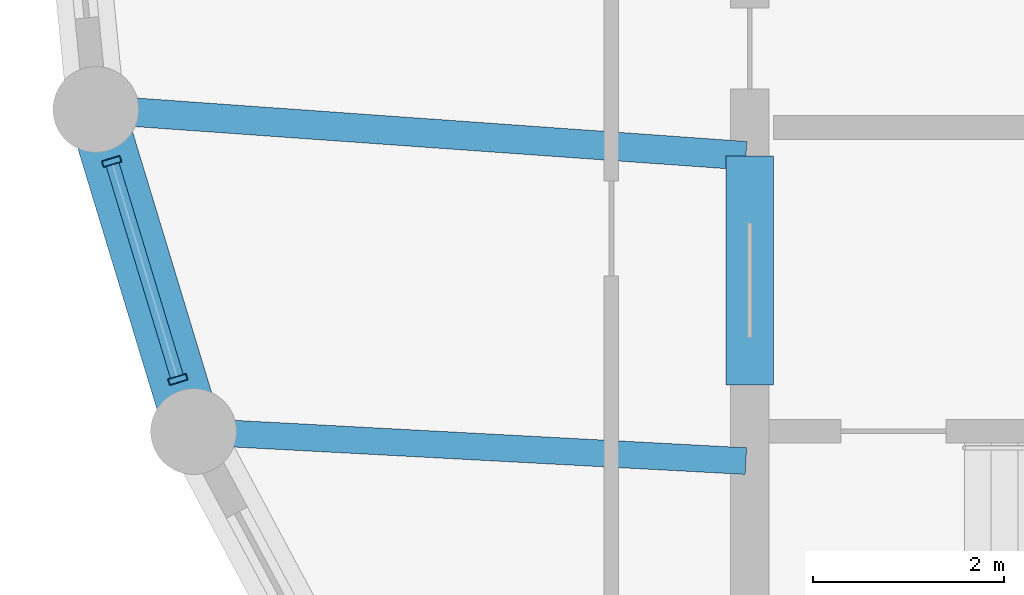
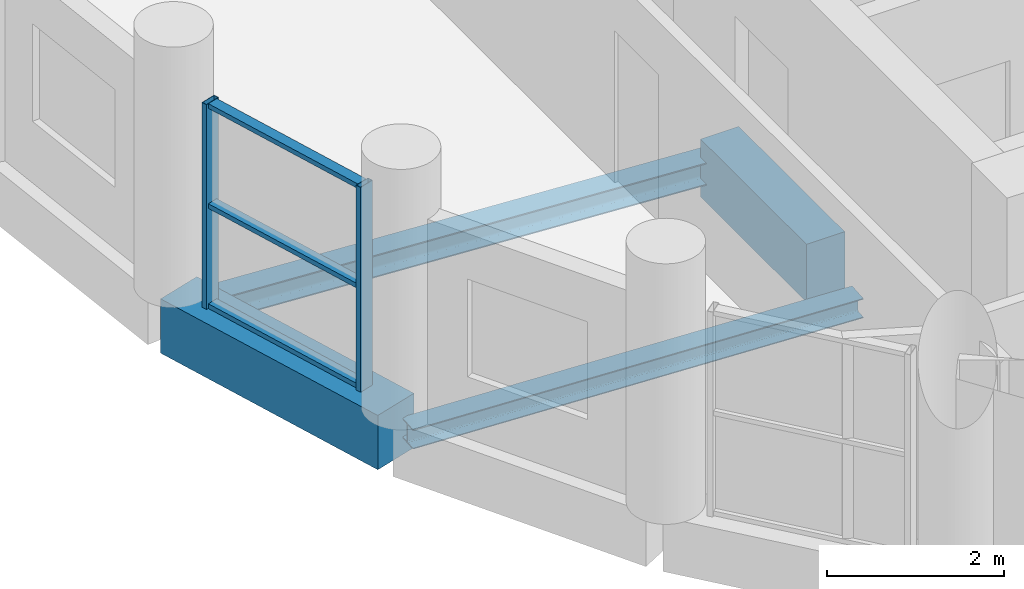
# One storey, part 3 of 17: 5 members, 4 beams, 1 element without a shape of its own.
"""IFC4 building model written with IfcOpenShell, lengths in metres."""

from ifc_helpers import new_model, si_unit, direction, frame, origin, origin_2d, place, context, subcontext, project, spatial, rectangle, hollow_rectangle, i_section, extrude, material, layer, layer_set, material_profile, profile_set, type_object, element, aggregate, save


model = new_model("IFC4")

# Units and contexts
model_context = context("Model", 3, precision=1e-05, world=origin(), true_north=direction((0.0, 1.0)))
body_context = subcontext(model_context, "Body", "Model", "MODEL_VIEW")
ifc_project = project(units=[si_unit("LENGTHUNIT", "METRE"), si_unit("AREAUNIT", "SQUARE_METRE"), si_unit("VOLUMEUNIT", "CUBIC_METRE"), si_unit("PLANEANGLEUNIT", "RADIAN"), si_unit("MASSUNIT", "GRAM", prefix="KILO")], contexts=[model_context])

# Site, building, storey
site_placement = place(None, origin())
site = spatial("IfcSite", under=ifc_project, at=site_placement, CompositionType="ELEMENT")
building_placement = place(site_placement, origin())
building = spatial("IfcBuilding", under=site, at=building_placement, Name="Solnavia Interchange Tower", CompositionType="ELEMENT")
storey_placement = place(building_placement, frame((0.0, 0.0, 291.800048828125)))
storey = spatial("IfcBuildingStorey", under=building, at=storey_placement, Name="L74", CompositionType="ELEMENT", Elevation=291.800048828125)

# Beams
ifc_material_1 = material(Name="Concrete C50/60", Category="concrete")
ifc_material_profile_1 = material_profile(ifc_material_1, rectangle(XDim=0.5, YDim=0.800048828125, at=origin_2d()), Name="RC 500x800")
ifc_profile_set_1 = profile_set([ifc_material_profile_1], Name="Concrete C50/60")
beam_type_1 = type_object("IfcBeamType", Name="Beam-Coupling-RC500x800", PredefinedType="LINTEL", material=ifc_profile_set_1)
beam_1_placement = place(storey_placement, frame((14.39990234375, 15.199951171875, -0.400146484375), z_axis=(0.0, 1.0, 0.0), x_axis=(-1.0, 0.0, 0.0)))
element("IfcBeam", 1, at=beam_1_placement, inside=storey, type_object=beam_type_1, Name="CPB-L74-W1 Core coupling lintel beam", PredefinedType="LINTEL", context=body_context, shape_type="SweptSolid", body=[
    extrude(rectangle(XDim=0.5, YDim=0.800048828125, at=origin_2d()), origin(), (0.0, 0.0, 1.0), 2.400146484375),
])
ifc_material_2 = material(Name="Steel S355", Category="steel")
ifc_material_profile_2 = material_profile(ifc_material_2, i_section(OverallWidth=0.280029296875, OverallDepth=0.27001953125, WebThickness=0.008056640625, FlangeThickness=0.012939453125, FilletRadius=0.02392578125, at=origin_2d()), Name="HEA 280")
ifc_profile_set_2 = profile_set([ifc_material_profile_2], Name="Steel S355")
beam_type_2 = type_object("IfcBeamType", Name="Beam-Primary-HEA280", PredefinedType="BEAM", material=ifc_profile_set_2)
beam_2_placement = place(storey_placement, frame((8.64990234375, 14.707763671875, -0.385009765625), z_axis=(0.998570371303, -0.053452909696, 0.0), x_axis=(0.053452909696, 0.998570371303, 0.0)))
element("IfcBeam", 2, at=beam_2_placement, inside=storey, type_object=beam_type_2, Name="GRD-L74-DR06 Drum radial floor girder", PredefinedType="BEAM", context=body_context, shape_type="SweptSolid", body=[
    extrude(i_section(OverallWidth=0.280029296875, OverallDepth=0.27001953125, WebThickness=0.008056640625, FlangeThickness=0.012939453125, FilletRadius=0.02392578125, at=origin_2d()), origin(), (0.0, 0.0, 1.0), 5.71826171875),
])
ifc_material_profile_3 = material_profile(ifc_material_2, i_section(OverallWidth=0.300048828125, OverallDepth=0.31005859375, WebThickness=0.009033203125, FlangeThickness=0.015380859375, FilletRadius=0.027099609375, at=origin_2d()), Name="HEA 320")
ifc_profile_set_3 = profile_set([ifc_material_profile_3], Name="Steel S355")
beam_type_3 = type_object("IfcBeamType", Name="Beam-Primary-HEA320", PredefinedType="BEAM", material=ifc_profile_set_3)
beam_3_placement = place(storey_placement, frame((7.625732421875, 18.082275390625, -0.405029296875), z_axis=(0.99747482749, -0.071020902015, 0.0), x_axis=(0.071020902015, 0.99747482749, 0.0)))
element("IfcBeam", 3, at=beam_3_placement, inside=storey, type_object=beam_type_3, Name="GRD-L74-DR05 Drum radial floor girder", PredefinedType="BEAM", context=body_context, shape_type="SweptSolid", body=[
    extrude(i_section(OverallWidth=0.300048828125, OverallDepth=0.31005859375, WebThickness=0.009033203125, FlangeThickness=0.015380859375, FilletRadius=0.027099609375, at=origin_2d()), origin(), (0.0, 0.0, 1.0), 6.75146484375),
])
ifc_material_profile_4 = material_profile(ifc_material_1, rectangle(XDim=0.60009765625, YDim=0.75, at=origin_2d()), Name="RC 600x750")
ifc_profile_set_4 = profile_set([ifc_material_profile_4], Name="Concrete C50/60")
beam_type_4 = type_object("IfcBeamType", Name="Beam-Spandrel-RC600x750", PredefinedType="SPANDREL", material=ifc_profile_set_4)
beam_4_placement = place(storey_placement, frame((7.569091796875, 18.011474609375, -0.375), z_axis=(0.290319223646, -0.956929855518, 0.0), x_axis=(0.956929855518, 0.290319223646, 0.0)))
element("IfcBeam", 4, at=beam_4_placement, inside=storey, type_object=beam_type_4, Name="SPB-L74-02 Framed-tube perimeter spandrel beam", PredefinedType="SPANDREL", context=body_context, shape_type="SweptSolid", body=[
    extrude(rectangle(XDim=0.60009765625, YDim=0.75, at=origin_2d()), origin(), (0.0, 0.0, 1.0), 3.367919921875),
])

# Curtain wall, members
ifc_material_3 = material(Name="Aluminium Alloy 6063-T6", Category="aluminium")
ifc_layer = layer(ifc_material_3, 0.219970703125)
ifc_layer_set = layer_set([ifc_layer], Name="Aluminium Alloy 6063-T6")
curtain_wall_type = type_object("IfcCurtainWallType", Name="CurtainWall-Tower-CTW3", PredefinedType="NOTDEFINED", material=ifc_layer_set)
curtain_wall_placement = place(storey_placement, origin())
curtain_wall = element("IfcCurtainWall", 5, at=curtain_wall_placement, inside=storey, type_object=curtain_wall_type, Name="CTW-L74-S38 CTW-3 curtain wall", PredefinedType="NOTDEFINED")
ifc_material_profile_5 = material_profile(ifc_material_3, hollow_rectangle(XDim=0.070068359375, YDim=0.199951171875, WallThickness=0.0048828125, at=origin_2d()), Name="ALU 200x70x5")
ifc_profile_set_5 = profile_set([ifc_material_profile_5], Name="Aluminium Alloy 6063-T6")
member_type_1 = type_object("IfcMemberType", Name="CW-Mullion-CWM-3", PredefinedType="MULLION", material=ifc_profile_set_5)
member_1_placement = place(storey_placement, frame((7.71142578125, 17.54248046875, 0.0), z_axis=(0.0, 0.0, 1.0), x_axis=(0.290258074897, -0.956948405065, 0.0)))
member_1 = element("IfcMember", 6, at=member_1_placement, type_object=member_type_1, Name="CTW-3 mullion 1", PredefinedType="MULLION", context=body_context, shape_type="SweptSolid", body=[
    extrude(hollow_rectangle(XDim=0.070068359375, YDim=0.199951171875, WallThickness=0.0048828125, at=origin_2d()), origin(), (0.0, 0.0, 1.0), 2.829833984375),
])
member_2_placement = place(storey_placement, frame((8.404541015625, 15.257568359375, 0.0), z_axis=(0.0, 0.0, 1.0), x_axis=(0.290258074897, -0.956948405065, 0.0)))
member_2 = element("IfcMember", 7, at=member_2_placement, type_object=member_type_1, Name="CTW-3 mullion 2", PredefinedType="MULLION", context=body_context, shape_type="SweptSolid", body=[
    extrude(hollow_rectangle(XDim=0.070068359375, YDim=0.199951171875, WallThickness=0.0048828125, at=origin_2d()), origin(), (0.0, 0.0, 1.0), 2.829833984375),
])
ifc_material_profile_6 = material_profile(ifc_material_3, hollow_rectangle(XDim=0.06494140625, YDim=0.139892578125, WallThickness=0.00390625, at=origin_2d()), Name="ALU 140x65x4")
ifc_profile_set_6 = profile_set([ifc_material_profile_6], Name="Aluminium Alloy 6063-T6")
member_type_2 = type_object("IfcMemberType", Name="CW-Transom-CWT-3", PredefinedType="USERDEFINED", material=ifc_profile_set_6)
member_3_placement = place(storey_placement, frame((7.7216796875, 17.509033203125, 0.032470703125), z_axis=(0.290197417472, -0.956966801354, 0.0), x_axis=(0.0, 0.0, 1.0)))
member_3 = element("IfcMember", 8, at=member_3_placement, type_object=member_type_2, Name="CTW-3 transom 1.1", ObjectType="TRANSOM", PredefinedType="USERDEFINED", context=body_context, shape_type="SweptSolid", body=[
    extrude(hollow_rectangle(XDim=0.06494140625, YDim=0.139892578125, WallThickness=0.00390625, at=origin_2d()), origin(), (0.0, 0.0, 1.0), 2.31787109375),
])
member_4_placement = place(storey_placement, frame((7.7216796875, 17.509033203125, 1.4150390625), z_axis=(0.290197417472, -0.956966801354, 0.0), x_axis=(0.0, 0.0, 1.0)))
member_4 = element("IfcMember", 9, at=member_4_placement, type_object=member_type_2, Name="CTW-3 transom 1.2", ObjectType="TRANSOM", PredefinedType="USERDEFINED", context=body_context, shape_type="SweptSolid", body=[
    extrude(hollow_rectangle(XDim=0.06494140625, YDim=0.139892578125, WallThickness=0.00390625, at=origin_2d()), origin(), (0.0, 0.0, 1.0), 2.31787109375),
])
member_5_placement = place(storey_placement, frame((7.7216796875, 17.509033203125, 2.79736328125), z_axis=(0.290197417472, -0.956966801354, 0.0), x_axis=(0.0, 0.0, 1.0)))
member_5 = element("IfcMember", 10, at=member_5_placement, type_object=member_type_2, Name="CTW-3 transom 1.3", ObjectType="TRANSOM", PredefinedType="USERDEFINED", context=body_context, shape_type="SweptSolid", body=[
    extrude(hollow_rectangle(XDim=0.06494140625, YDim=0.139892578125, WallThickness=0.00390625, at=origin_2d()), origin(), (0.0, 0.0, 1.0), 2.31787109375),
])
aggregate(curtain_wall, [member_1, member_2, member_3, member_4, member_5])

save(model, "model.ifc")
